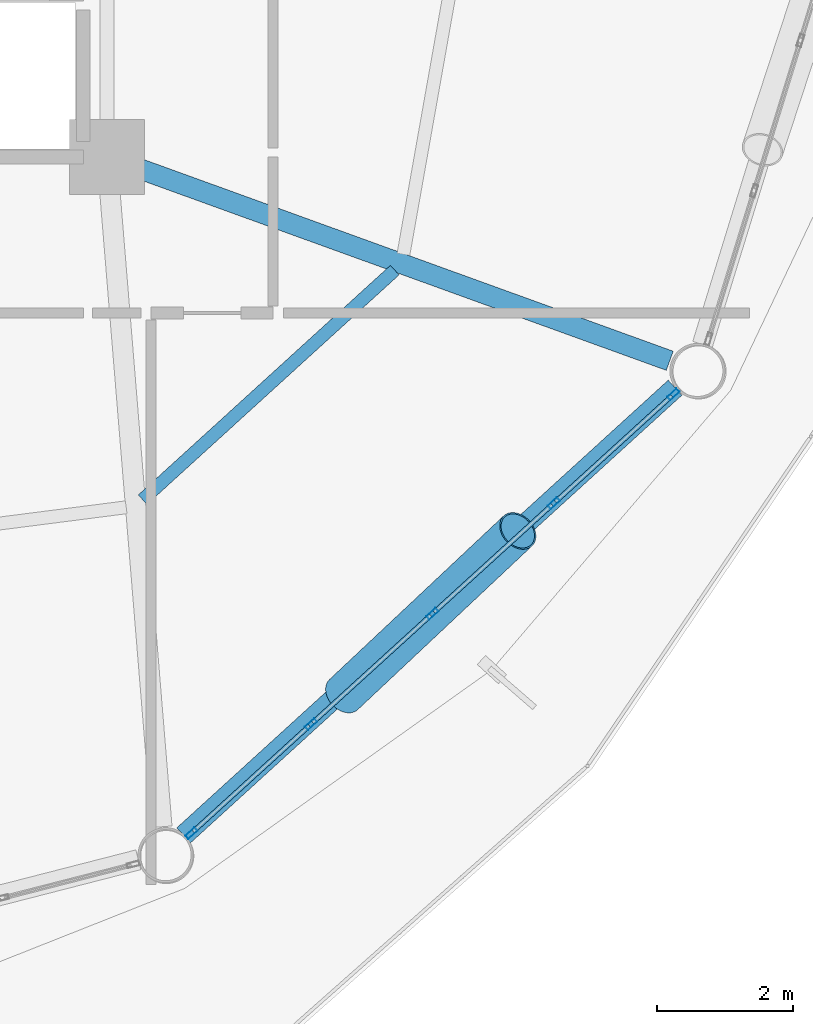
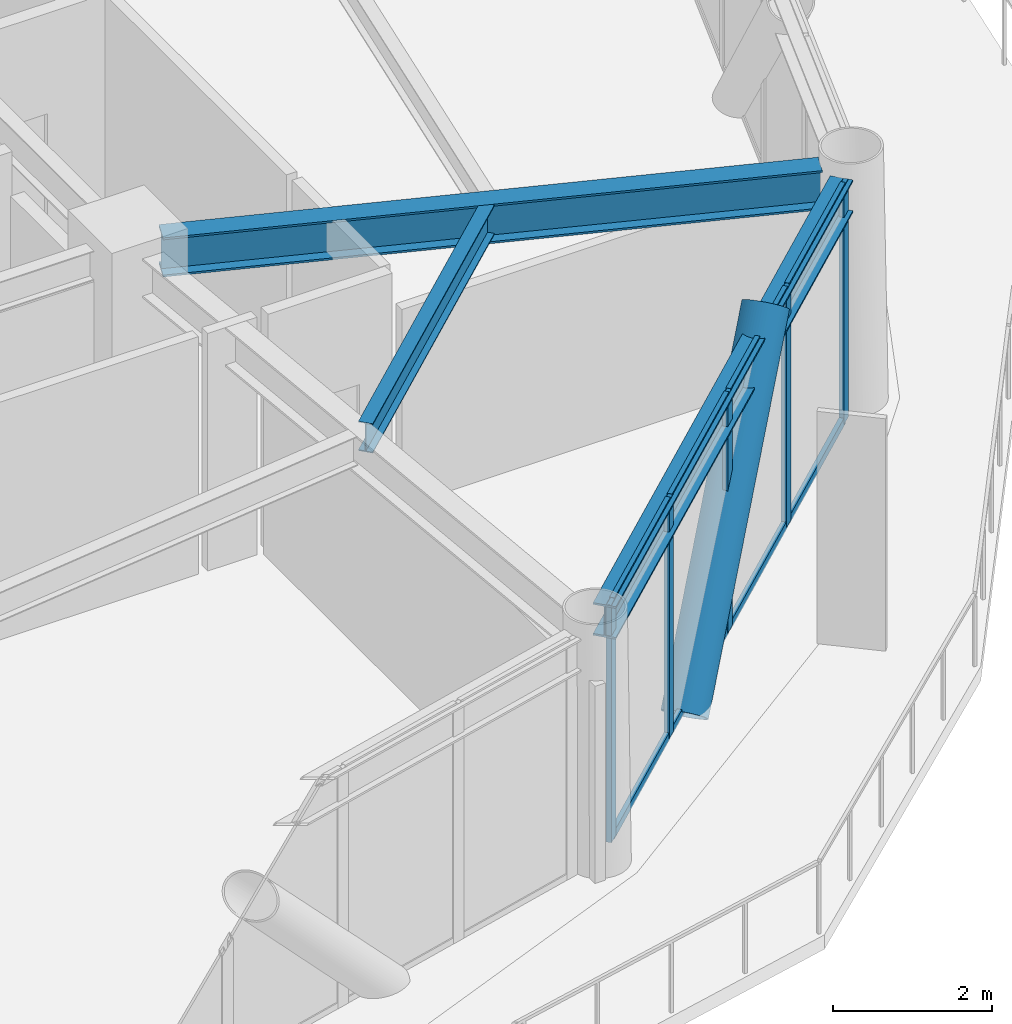
# One storey, part 12 of 24: 14 members, 3 beams, 1 element without a shape of its own.
"""IFC4 building model written with IfcOpenShell, lengths in metres."""

from ifc_helpers import new_model, si_unit, direction, frame, origin, origin_2d, place, context, subcontext, project, spatial, hollow_rectangle, hollow_circle, i_section, extrude, material, layer, layer_set, material_profile, profile_set, type_object, element, aggregate, save


model = new_model("IFC4")

# Units and contexts
model_context = context("Model", 3, precision=1e-05, world=origin(), true_north=direction((0.0, 1.0)))
body_context = subcontext(model_context, "Body", "Model", "MODEL_VIEW")
ifc_project = project(units=[si_unit("LENGTHUNIT", "METRE"), si_unit("AREAUNIT", "SQUARE_METRE"), si_unit("VOLUMEUNIT", "CUBIC_METRE"), si_unit("PLANEANGLEUNIT", "RADIAN"), si_unit("MASSUNIT", "GRAM", prefix="KILO")], contexts=[model_context])

# Site, building, storey
site_placement = place(None, origin())
site = spatial("IfcSite", under=ifc_project, at=site_placement, CompositionType="ELEMENT")
building_placement = place(site_placement, origin())
building = spatial("IfcBuilding", under=site, at=building_placement, Name="Varnakorn Sky Granary", CompositionType="ELEMENT")
storey_placement = place(building_placement, frame((0.0, 0.0, 103.199951171875)))
storey = spatial("IfcBuildingStorey", under=building, at=storey_placement, Name="L25", CompositionType="ELEMENT", Elevation=103.199951171875)

# Beams
ifc_material_1 = material(Name="Steel S355JR", Category="steel")
ifc_material_profile_1 = material_profile(ifc_material_1, i_section(OverallWidth=0.300048828125, OverallDepth=0.60009765625, WebThickness=0.015380859375, FlangeThickness=0.030029296875, at=origin_2d()), Name="HE 600 B")
ifc_profile_set_1 = profile_set([ifc_material_profile_1], Name="Steel S355JR")
beam_type_1 = type_object("IfcBeamType", Name="BM-RAD-Z2", PredefinedType="BEAM", material=ifc_profile_set_1)
beam_1_placement = place(storey_placement, frame((8.744873046875, -6.742919921875, 3.340087890625), z_axis=(0.940253828542, -0.340474283776, 0.0), x_axis=(0.340474283776, 0.940253828542, 0.0)))
element("IfcBeam", 1, at=beam_1_placement, inside=storey, type_object=beam_type_1, Name="Radial Floor Girder RG12 L25", PredefinedType="BEAM", context=body_context, shape_type="SweptSolid", body=[
    extrude(i_section(OverallWidth=0.300048828125, OverallDepth=0.60009765625, WebThickness=0.015380859375, FlangeThickness=0.030029296875, at=origin_2d()), origin(), (0.0, 0.0, 1.0), 8.40673828125),
])
ifc_material_profile_2 = material_profile(ifc_material_1, i_section(OverallWidth=0.18994140625, OverallDepth=0.449951171875, WebThickness=0.009521484375, FlangeThickness=0.0146484375, at=origin_2d()), Name="IPE 450")
ifc_profile_set_2 = profile_set([ifc_material_profile_2], Name="Steel S355JR")
beam_type_2 = type_object("IfcBeamType", Name="BM-SEC-Z2", PredefinedType="BEAM", material=ifc_profile_set_2)
beam_2_placement = place(storey_placement, frame((8.875244140625, -11.65380859375, 3.4150390625), z_axis=(0.739419200531, 0.673245308848, 0.0), x_axis=(-0.673245308848, 0.739419200531, 0.0)))
element("IfcBeam", 2, at=beam_2_placement, inside=storey, type_object=beam_type_2, Name="Secondary Floor Chord Beam MSB11 L25", PredefinedType="BEAM", context=body_context, shape_type="SweptSolid", body=[
    extrude(i_section(OverallWidth=0.18994140625, OverallDepth=0.449951171875, WebThickness=0.009521484375, FlangeThickness=0.0146484375, at=origin_2d()), origin(), (0.0, 0.0, 1.0), 5.028564453125),
])
ifc_material_profile_3 = material_profile(ifc_material_1, i_section(OverallWidth=0.300048828125, OverallDepth=0.5, WebThickness=0.014404296875, FlangeThickness=0.028076171875, at=origin_2d()), Name="HE 500 B")
ifc_profile_set_3 = profile_set([ifc_material_profile_3], Name="Steel S355JR")
beam_type_3 = type_object("IfcBeamType", Name="BM-SPD-Z2", PredefinedType="SPANDREL", material=ifc_profile_set_3)
beam_3_placement = place(storey_placement, frame((9.48046875, -16.60400390625, 3.39013671875), z_axis=(0.739273749752, 0.67340502146, 0.0), x_axis=(-0.67340502146, 0.739273749752, 0.0)))
element("IfcBeam", 3, at=beam_3_placement, inside=storey, type_object=beam_type_3, Name="Perimeter Spandrel Ring Beam RB11 L25", PredefinedType="SPANDREL", context=body_context, shape_type="SweptSolid", body=[
    extrude(i_section(OverallWidth=0.300048828125, OverallDepth=0.5, WebThickness=0.014404296875, FlangeThickness=0.028076171875, at=origin_2d()), origin(), (0.0, 0.0, 1.0), 9.8037109375),
])

# Curtain wall, members
ifc_material_2 = material(Name="Anodised Bronze Aluminium Alloy 6063-T6", Category="aluminium")
ifc_layer = layer(ifc_material_2, 0.179931640625, Name="Anodised Bronze Aluminium Alloy 6063-T6")
ifc_layer_set = layer_set([ifc_layer], Name="Anodised Bronze Aluminium Alloy 6063-T6")
curtain_wall_type = type_object("IfcCurtainWallType", Name="CW-FRM-2", PredefinedType="USERDEFINED", material=ifc_layer_set)
curtain_wall_placement = place(storey_placement, origin())
curtain_wall = element("IfcCurtainWall", 4, at=curtain_wall_placement, inside=storey, type_object=curtain_wall_type, Name="Unitised Curtain Wall CW4 CW-L25-B11", ObjectType="CURTAIN WALL", PredefinedType="USERDEFINED")
ifc_material_profile_4 = material_profile(ifc_material_2, hollow_rectangle(XDim=0.070068359375, YDim=0.18505859375, WallThickness=0.00390625, at=origin_2d()), Name="ALU MULL 70x185")
ifc_profile_set_4 = profile_set([ifc_material_profile_4], Name="Anodised Bronze Aluminium Alloy 6063-T6")
member_type_1 = type_object("IfcMemberType", Name="CW-FRM-2-MULL", PredefinedType="MULLION", material=ifc_profile_set_4)
member_1_placement = place(storey_placement, frame((16.70361328125, -10.10009765625, 0.0), z_axis=(0.0, 0.0, 1.0), x_axis=(0.673184597183, -0.739474474282, 0.0)))
member_1 = element("IfcMember", 5, at=member_1_placement, type_object=member_type_1, Name="CW4 mullion 1", PredefinedType="MULLION", context=body_context, shape_type="SweptSolid", body=[
    extrude(hollow_rectangle(XDim=0.070068359375, YDim=0.18505859375, WallThickness=0.00390625, at=origin_2d()), origin(), (0.0, 0.0, 1.0), 3.64013671875),
])
member_2_placement = place(storey_placement, frame((14.939453125, -11.7060546875, 0.0), z_axis=(0.0, 0.0, 1.0), x_axis=(0.673184597183, -0.739474474282, 0.0)))
member_2 = element("IfcMember", 6, at=member_2_placement, type_object=member_type_1, Name="CW4 mullion 2", PredefinedType="MULLION", context=body_context, shape_type="SweptSolid", body=[
    extrude(hollow_rectangle(XDim=0.070068359375, YDim=0.18505859375, WallThickness=0.00390625, at=origin_2d()), origin(), (0.0, 0.0, 1.0), 3.64013671875),
])
member_3_placement = place(storey_placement, frame((13.149169921875, -13.335693359375, 0.0), z_axis=(0.0, 0.0, 1.0), x_axis=(0.673184597183, -0.739474474282, 0.0)))
member_3 = element("IfcMember", 7, at=member_3_placement, type_object=member_type_1, Name="CW4 mullion 3", PredefinedType="MULLION", context=body_context, shape_type="SweptSolid", body=[
    extrude(hollow_rectangle(XDim=0.070068359375, YDim=0.18505859375, WallThickness=0.00390625, at=origin_2d()), origin(), (0.0, 0.0, 1.0), 3.64013671875),
])
member_4_placement = place(storey_placement, frame((11.359130859375, -14.96533203125, 0.0), z_axis=(0.0, 0.0, 1.0), x_axis=(0.673184597183, -0.739474474282, 0.0)))
member_4 = element("IfcMember", 8, at=member_4_placement, type_object=member_type_1, Name="CW4 mullion 4", PredefinedType="MULLION", context=body_context, shape_type="SweptSolid", body=[
    extrude(hollow_rectangle(XDim=0.070068359375, YDim=0.18505859375, WallThickness=0.00390625, at=origin_2d()), origin(), (0.0, 0.0, 1.0), 3.64013671875),
])
member_5_placement = place(storey_placement, frame((9.594970703125, -16.571533203125, 0.0), z_axis=(0.0, 0.0, 1.0), x_axis=(0.673184597183, -0.739474474282, 0.0)))
member_5 = element("IfcMember", 9, at=member_5_placement, type_object=member_type_1, Name="CW4 mullion 5", PredefinedType="MULLION", context=body_context, shape_type="SweptSolid", body=[
    extrude(hollow_rectangle(XDim=0.070068359375, YDim=0.18505859375, WallThickness=0.00390625, at=origin_2d()), origin(), (0.0, 0.0, 1.0), 3.64013671875),
])
ifc_material_profile_5 = material_profile(ifc_material_2, hollow_rectangle(XDim=0.06494140625, YDim=0.1201171875, WallThickness=0.00341796875, at=origin_2d()), Name="ALU TRAN 65x120")
ifc_profile_set_5 = profile_set([ifc_material_profile_5], Name="Anodised Bronze Aluminium Alloy 6063-T6")
member_type_2 = type_object("IfcMemberType", Name="CW-FRM-2-TRAN", PredefinedType="USERDEFINED", material=ifc_profile_set_5)
member_6_placement = place(storey_placement, frame((16.677734375, -10.12353515625, 0.032470703125), z_axis=(-0.739434217415, -0.673228815571, 0.0), x_axis=(0.673228815571, -0.739434217415, 0.0)))
member_6 = element("IfcMember", 10, at=member_6_placement, type_object=member_type_2, Name="CW4 transom 1.1", ObjectType="TRANSOM", PredefinedType="USERDEFINED", context=body_context, shape_type="SweptSolid", body=[
    extrude(hollow_rectangle(XDim=0.06494140625, YDim=0.1201171875, WallThickness=0.00341796875, at=origin_2d()), origin(), (0.0, 0.0, 1.0), 2.31591796875),
])
member_7_placement = place(storey_placement, frame((16.677734375, -10.12353515625, 3.607666015625), z_axis=(-0.739434217415, -0.673228815571, 0.0), x_axis=(0.673228815571, -0.739434217415, 0.0)))
member_7 = element("IfcMember", 11, at=member_7_placement, type_object=member_type_2, Name="CW4 transom 1.2", ObjectType="TRANSOM", PredefinedType="USERDEFINED", context=body_context, shape_type="SweptSolid", body=[
    extrude(hollow_rectangle(XDim=0.06494140625, YDim=0.1201171875, WallThickness=0.00341796875, at=origin_2d()), origin(), (0.0, 0.0, 1.0), 2.31591796875),
])
member_8_placement = place(storey_placement, frame((14.91357421875, -11.729736328125, 0.032470703125), z_axis=(-0.739507608661, -0.673148198194, 0.0), x_axis=(0.673148198194, -0.739507608661, 0.0)))
member_8 = element("IfcMember", 12, at=member_8_placement, type_object=member_type_2, Name="CW4 transom 2.1", ObjectType="TRANSOM", PredefinedType="USERDEFINED", context=body_context, shape_type="SweptSolid", body=[
    extrude(hollow_rectangle(XDim=0.06494140625, YDim=0.1201171875, WallThickness=0.00341796875, at=origin_2d()), origin(), (0.0, 0.0, 1.0), 2.350830078125),
])
member_9_placement = place(storey_placement, frame((14.91357421875, -11.729736328125, 3.607666015625), z_axis=(-0.739507608661, -0.673148198194, 0.0), x_axis=(0.673148198194, -0.739507608661, 0.0)))
member_9 = element("IfcMember", 13, at=member_9_placement, type_object=member_type_2, Name="CW4 transom 2.2", ObjectType="TRANSOM", PredefinedType="USERDEFINED", context=body_context, shape_type="SweptSolid", body=[
    extrude(hollow_rectangle(XDim=0.06494140625, YDim=0.1201171875, WallThickness=0.00341796875, at=origin_2d()), origin(), (0.0, 0.0, 1.0), 2.350830078125),
])
member_10_placement = place(storey_placement, frame((13.123291015625, -13.359375, 0.032470703125), z_axis=(-0.73946054637, -0.673199896288, 0.0), x_axis=(0.673199896288, -0.73946054637, 0.0)))
member_10 = element("IfcMember", 14, at=member_10_placement, type_object=member_type_2, Name="CW4 transom 3.1", ObjectType="TRANSOM", PredefinedType="USERDEFINED", context=body_context, shape_type="SweptSolid", body=[
    extrude(hollow_rectangle(XDim=0.06494140625, YDim=0.1201171875, WallThickness=0.00341796875, at=origin_2d()), origin(), (0.0, 0.0, 1.0), 2.350830078125),
])
member_11_placement = place(storey_placement, frame((13.123291015625, -13.359375, 3.607666015625), z_axis=(-0.73946054637, -0.673199896288, 0.0), x_axis=(0.673199896288, -0.73946054637, 0.0)))
member_11 = element("IfcMember", 15, at=member_11_placement, type_object=member_type_2, Name="CW4 transom 3.2", ObjectType="TRANSOM", PredefinedType="USERDEFINED", context=body_context, shape_type="SweptSolid", body=[
    extrude(hollow_rectangle(XDim=0.06494140625, YDim=0.1201171875, WallThickness=0.00341796875, at=origin_2d()), origin(), (0.0, 0.0, 1.0), 2.350830078125),
])
member_12_placement = place(storey_placement, frame((11.333251953125, -14.989013671875, 0.032470703125), z_axis=(-0.739434217415, -0.673228815571, 0.0), x_axis=(0.673228815571, -0.739434217415, 0.0)))
member_12 = element("IfcMember", 16, at=member_12_placement, type_object=member_type_2, Name="CW4 transom 4.1", ObjectType="TRANSOM", PredefinedType="USERDEFINED", context=body_context, shape_type="SweptSolid", body=[
    extrude(hollow_rectangle(XDim=0.06494140625, YDim=0.1201171875, WallThickness=0.00341796875, at=origin_2d()), origin(), (0.0, 0.0, 1.0), 2.31591796875),
])
member_13_placement = place(storey_placement, frame((11.333251953125, -14.989013671875, 3.607666015625), z_axis=(-0.739434217415, -0.673228815571, 0.0), x_axis=(0.673228815571, -0.739434217415, 0.0)))
member_13 = element("IfcMember", 17, at=member_13_placement, type_object=member_type_2, Name="CW4 transom 4.2", ObjectType="TRANSOM", PredefinedType="USERDEFINED", context=body_context, shape_type="SweptSolid", body=[
    extrude(hollow_rectangle(XDim=0.06494140625, YDim=0.1201171875, WallThickness=0.00341796875, at=origin_2d()), origin(), (0.0, 0.0, 1.0), 2.31591796875),
])
aggregate(curtain_wall, [member_1, member_2, member_3, member_4, member_5, member_6, member_7, member_8, member_9, member_10, member_11, member_12, member_13])

# Member
ifc_material_3 = material(Name="Steel S460M", Category="steel")
ifc_material_profile_6 = material_profile(ifc_material_3, hollow_circle(Radius=0.304931640625, WallThickness=0.022216796875, at=origin_2d()), Name="CHS 610x22")
ifc_profile_set_6 = profile_set([ifc_material_profile_6], Name="Steel S460M")
member_type_3 = type_object("IfcMemberType", Name="MB-DIAG-T1", PredefinedType="BRACE", material=ifc_profile_set_6)
member_14_placement = place(storey_placement, frame((11.8408203125, -14.52685546875, -0.1298828125), z_axis=(0.48722747856, 0.457626950056, 0.743765392257), x_axis=(-0.684618565647, 0.728901515687, 0.0)))
element("IfcMember", 18, at=member_14_placement, inside=storey, type_object=member_type_3, Name="Perimeter CHS Diagrid Brace DG11 L25", PredefinedType="BRACE", context=body_context, shape_type="SweptSolid", body=[
    extrude(hollow_circle(Radius=0.304931640625, WallThickness=0.022216796875, at=origin_2d()), origin(), (0.0, 0.0, 1.0), 5.270263671875),
])

save(model, "model.ifc")
